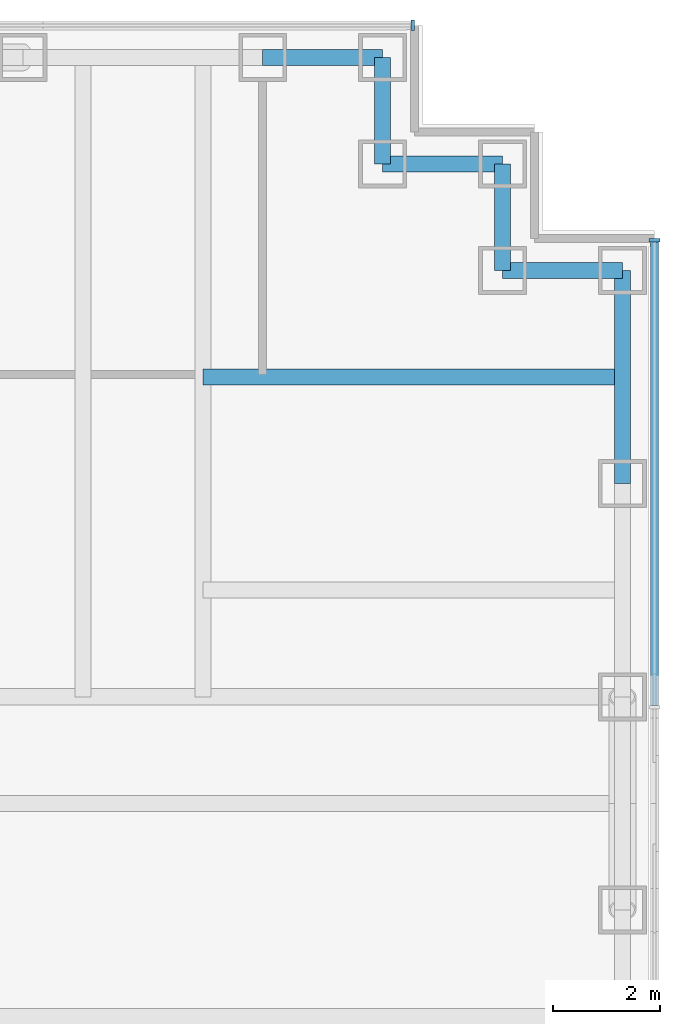
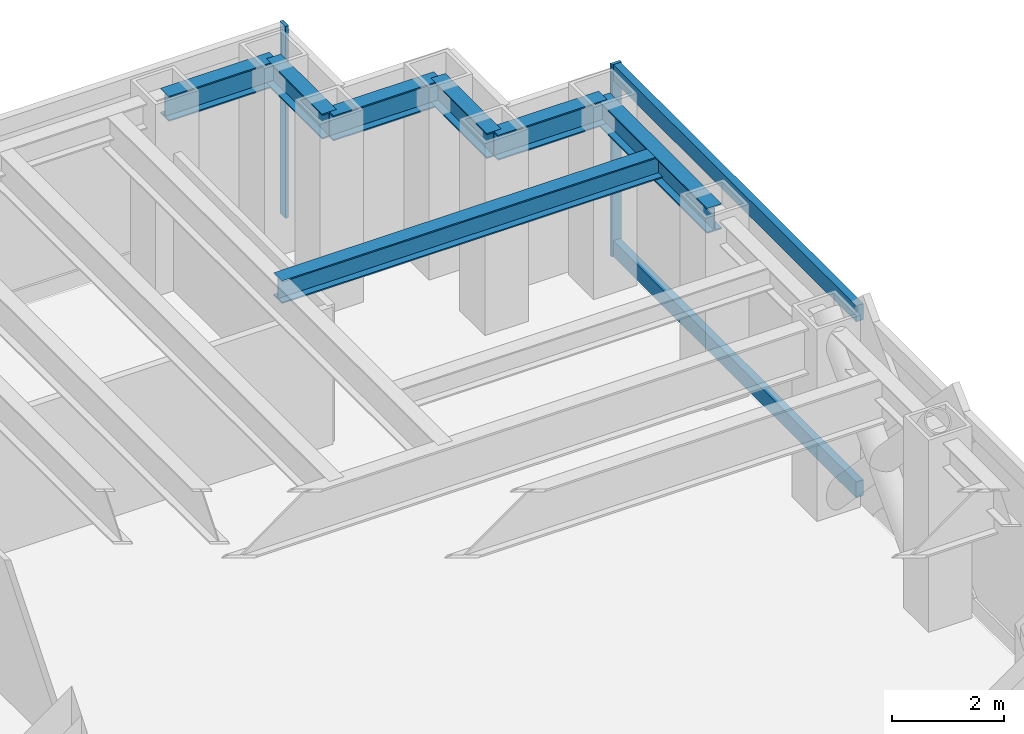
# One storey, part 9 of 17: 7 beams, 4 members, 2 elements without a shape of their own.
"""IFC4 building model written with IfcOpenShell, lengths in metres."""

from ifc_helpers import new_model, si_unit, direction, frame, origin, origin_2d, place, context, subcontext, project, spatial, rectangle, i_section, extrude, material, material_profile, profile_set, type_object, element, aggregate, save


model = new_model("IFC4")

# Units and contexts
model_context = context("Model", 3, precision=1e-05, world=origin(), true_north=direction((0.0, 1.0)))
body_context = subcontext(model_context, "Body", "Model", "MODEL_VIEW")
ifc_project = project(units=[si_unit("LENGTHUNIT", "METRE"), si_unit("AREAUNIT", "SQUARE_METRE"), si_unit("VOLUMEUNIT", "CUBIC_METRE"), si_unit("PLANEANGLEUNIT", "RADIAN"), si_unit("MASSUNIT", "GRAM", prefix="KILO")], contexts=[model_context])

# Site, building, storey
site_placement = place(None, origin())
site = spatial("IfcSite", under=ifc_project, at=site_placement, CompositionType="ELEMENT")
building_placement = place(site_placement, origin())
building = spatial("IfcBuilding", under=site, at=building_placement, Name="Rheinbord Bourse Tower", CompositionType="ELEMENT")
storey_placement = place(building_placement, frame((0.0, 0.0, 283.699951171875)))
storey = spatial("IfcBuildingStorey", under=building, at=storey_placement, Name="L64", CompositionType="ELEMENT", Elevation=283.699951171875)

# Curtain wall, member
ifc_material_1 = material(Name="Dark glass and black aluminium", Category="aluminium")
curtain_wall_type = type_object("IfcCurtainWallType", Name="CW3 DARK GLASS CURTAIN WALL", PredefinedType="USERDEFINED", material=ifc_material_1)
curtain_wall_1_placement = place(storey_placement, origin())
curtain_wall_1 = element("IfcCurtainWall", 1, at=curtain_wall_1_placement, inside=storey, type_object=curtain_wall_type, Name="Curtain wall CW3 E L64", ObjectType="UNITISED CURTAIN WALL", PredefinedType="USERDEFINED")
ifc_material_2 = material(Name="Black anodised aluminium", Category="aluminium")
ifc_material_profile_1 = material_profile(ifc_material_2, rectangle(XDim=0.199951171875, YDim=0.06494140625, at=origin_2d()), Name="CW3 MULLION 65x200")
ifc_profile_set_1 = profile_set([ifc_material_profile_1], Name="Black anodised aluminium")
member_type_1 = type_object("IfcMemberType", Name="CW3 BLACK MULLION", PredefinedType="MULLION", material=ifc_profile_set_1)
member_1_placement = place(storey_placement, frame((70.35009765625, 40.5673828125, 0.0), z_axis=(0.0, 0.0, 1.0), x_axis=(-1.0, 0.0, 0.0)))
member_1 = element("IfcMember", 2, at=member_1_placement, type_object=member_type_1, Name="CW3 mullion 5", PredefinedType="MULLION", context=body_context, shape_type="SweptSolid", body=[
    extrude(rectangle(XDim=0.199951171875, YDim=0.06494140625, at=origin_2d()), origin(), (0.0, 0.0, 1.0), 4.199951171875),
])

curtain_wall_2_placement = place(storey_placement, origin())
curtain_wall_2 = element("IfcCurtainWall", 3, at=curtain_wall_2_placement, inside=storey, type_object=curtain_wall_type, Name="Curtain wall CW3 N L64", ObjectType="UNITISED CURTAIN WALL", PredefinedType="USERDEFINED")
member_2_placement = place(storey_placement, frame((65.8173828125, 44.60009765625, 0.0), z_axis=(0.0, 0.0, 1.0), x_axis=(0.0, -1.0, 0.0)))
member_2 = element("IfcMember", 4, at=member_2_placement, type_object=member_type_1, Name="CW3 mullion 1", PredefinedType="MULLION", context=body_context, shape_type="SweptSolid", body=[
    extrude(rectangle(XDim=0.199951171875, YDim=0.06494140625, at=origin_2d()), origin(), (0.0, 0.0, 1.0), 4.199951171875),
])
aggregate(curtain_wall_2, [member_2])

# Member
ifc_material_3 = material(Name="Black anodised aluminium", Category="aluminium")
ifc_material_profile_2 = material_profile(ifc_material_3, rectangle(XDim=0.14990234375, YDim=0.35009765625, at=origin_2d()), Name="CW3 TRANSOM 350x150")
ifc_profile_set_2 = profile_set([ifc_material_profile_2], Name="Black anodised aluminium")
member_type_2 = type_object("IfcMemberType", Name="CW3 BLACK TRANSOM", PredefinedType="USERDEFINED", material=ifc_profile_set_2)
member_3_placement = place(storey_placement, frame((70.35009765625, 31.83251953125, 0.175048828125), z_axis=(0.0, 1.0, 0.0), x_axis=(-1.0, 0.0, 0.0)))
member_3 = element("IfcMember", 5, at=member_3_placement, type_object=member_type_2, Name="CW3 transom 4.1", ObjectType="TRANSOM", PredefinedType="USERDEFINED", context=body_context, shape_type="SweptSolid", body=[
    extrude(rectangle(XDim=0.14990234375, YDim=0.35009765625, at=origin_2d()), origin(), (0.0, 0.0, 1.0), 8.702392578125),
])

member_4_placement = place(storey_placement, frame((70.35009765625, 31.83251953125, 4.025146484375), z_axis=(0.0, 1.0, 0.0), x_axis=(-1.0, 0.0, 0.0)))
member_4 = element("IfcMember", 6, at=member_4_placement, type_object=member_type_2, Name="CW3 transom 4.2", ObjectType="TRANSOM", PredefinedType="USERDEFINED", context=body_context, shape_type="SweptSolid", body=[
    extrude(rectangle(XDim=0.14990234375, YDim=0.35009765625, at=origin_2d()), origin(), (0.0, 0.0, 1.0), 8.702392578125),
])

aggregate(curtain_wall_1, [member_1, member_3, member_4])

# Beams
ifc_material_4 = material(Name="Steel S460", Category="steel")
ifc_material_profile_3 = material_profile(ifc_material_4, i_section(OverallWidth=0.300048828125, OverallDepth=0.550048828125, WebThickness=0.014892578125, FlangeThickness=0.029052734375, at=origin_2d()), Name="HEB 550")
ifc_profile_set_3 = profile_set([ifc_material_profile_3], Name="Steel S460")
beam_type_1 = type_object("IfcBeamType", Name="SPANDREL HEB 550", PredefinedType="SPANDREL", material=ifc_profile_set_3)
beam_1_placement = place(storey_placement, frame((69.75, 36.0, 3.76513671875), z_axis=(0.0, 1.0, 0.0), x_axis=(-1.0, 0.0, 0.0)))
element("IfcBeam", 7, at=beam_1_placement, inside=storey, type_object=beam_type_1, Name="Spandrel E-36-NE-A under L65", PredefinedType="SPANDREL", context=body_context, shape_type="SweptSolid", body=[
    extrude(i_section(OverallWidth=0.300048828125, OverallDepth=0.550048828125, WebThickness=0.014892578125, FlangeThickness=0.029052734375, at=origin_2d()), origin(), (0.0, 0.0, 1.0), 4.0),
])
beam_2_placement = place(storey_placement, frame((69.75, 40.0, 3.76513671875), z_axis=(-1.0, 0.0, 0.0), x_axis=(0.0, -1.0, 0.0)))
element("IfcBeam", 8, at=beam_2_placement, inside=storey, type_object=beam_type_1, Name="Spandrel NE-A-NE-B under L65", PredefinedType="SPANDREL", context=body_context, shape_type="SweptSolid", body=[
    extrude(i_section(OverallWidth=0.300048828125, OverallDepth=0.550048828125, WebThickness=0.014892578125, FlangeThickness=0.029052734375, at=origin_2d()), origin(), (0.0, 0.0, 1.0), 2.25),
])
beam_3_placement = place(storey_placement, frame((67.5, 40.0, 3.76513671875), z_axis=(0.0, 1.0, 0.0), x_axis=(-1.0, 0.0, 0.0)))
element("IfcBeam", 9, at=beam_3_placement, inside=storey, type_object=beam_type_1, Name="Spandrel NE-B-NE-C under L65", PredefinedType="SPANDREL", context=body_context, shape_type="SweptSolid", body=[
    extrude(i_section(OverallWidth=0.300048828125, OverallDepth=0.550048828125, WebThickness=0.014892578125, FlangeThickness=0.029052734375, at=origin_2d()), origin(), (0.0, 0.0, 1.0), 2.0),
])
beam_4_placement = place(storey_placement, frame((67.5, 42.0, 3.76513671875), z_axis=(-1.0, 0.0, 0.0), x_axis=(0.0, -1.0, 0.0)))
element("IfcBeam", 10, at=beam_4_placement, inside=storey, type_object=beam_type_1, Name="Spandrel NE-C-NE-D under L65", PredefinedType="SPANDREL", context=body_context, shape_type="SweptSolid", body=[
    extrude(i_section(OverallWidth=0.300048828125, OverallDepth=0.550048828125, WebThickness=0.014892578125, FlangeThickness=0.029052734375, at=origin_2d()), origin(), (0.0, 0.0, 1.0), 2.25),
])
beam_5_placement = place(storey_placement, frame((65.25, 42.0, 3.76513671875), z_axis=(0.0, 1.0, 0.0), x_axis=(-1.0, 0.0, 0.0)))
element("IfcBeam", 11, at=beam_5_placement, inside=storey, type_object=beam_type_1, Name="Spandrel NE-D-NE-E under L65", PredefinedType="SPANDREL", context=body_context, shape_type="SweptSolid", body=[
    extrude(i_section(OverallWidth=0.300048828125, OverallDepth=0.550048828125, WebThickness=0.014892578125, FlangeThickness=0.029052734375, at=origin_2d()), origin(), (0.0, 0.0, 1.0), 2.0),
])
beam_6_placement = place(storey_placement, frame((65.25, 44.0, 3.76513671875), z_axis=(-1.0, 0.0, 0.0), x_axis=(0.0, -1.0, 0.0)))
element("IfcBeam", 12, at=beam_6_placement, inside=storey, type_object=beam_type_1, Name="Spandrel NE-E-N-63 under L65", PredefinedType="SPANDREL", context=body_context, shape_type="SweptSolid", body=[
    extrude(i_section(OverallWidth=0.300048828125, OverallDepth=0.550048828125, WebThickness=0.014892578125, FlangeThickness=0.029052734375, at=origin_2d()), origin(), (0.0, 0.0, 1.0), 2.25),
])
ifc_material_5 = material(Name="Steel S460", Category="steel")
ifc_material_profile_4 = material_profile(ifc_material_5, i_section(OverallWidth=0.300048828125, OverallDepth=0.5, WebThickness=0.014404296875, FlangeThickness=0.028076171875, at=origin_2d()), Name="HEB 500")
ifc_profile_set_4 = profile_set([ifc_material_profile_4], Name="Steel S460")
beam_type_2 = type_object("IfcBeamType", Name="TIE BEAM HEB 500", PredefinedType="JOIST", material=ifc_profile_set_4)
beam_7_placement = place(storey_placement, frame((61.875, 38.0, 3.7900390625), z_axis=(1.0, 0.0, 0.0), x_axis=(0.0, 1.0, 0.0)))
element("IfcBeam", 13, at=beam_7_placement, inside=storey, type_object=beam_type_2, Name="Tie east 38 L65", PredefinedType="JOIST", context=body_context, shape_type="SweptSolid", body=[
    extrude(i_section(OverallWidth=0.300048828125, OverallDepth=0.5, WebThickness=0.014404296875, FlangeThickness=0.028076171875, at=origin_2d()), origin(), (0.0, 0.0, 1.0), 7.875),
])

save(model, "model.ifc")
